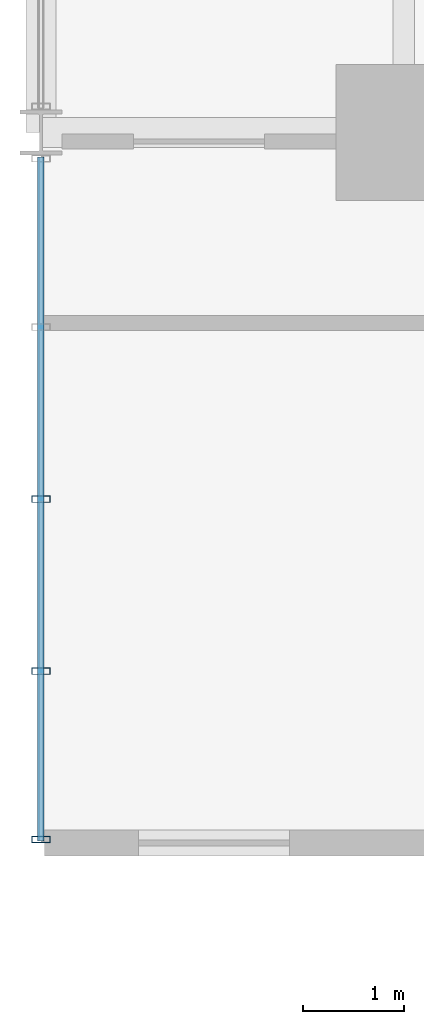
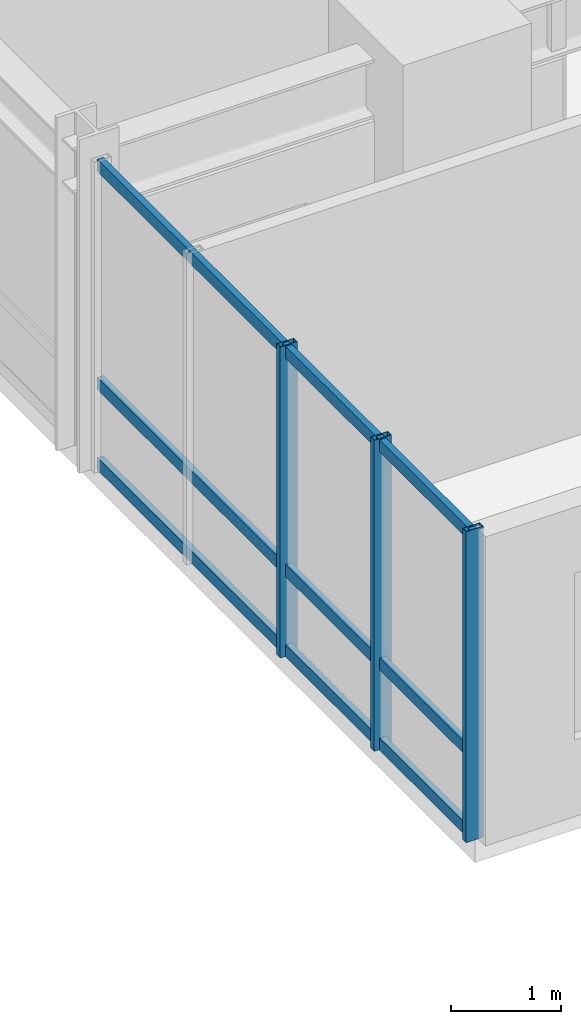
# One storey, part 2 of 17: 6 members, 1 element without a shape of its own.
"""IFC4 building model written with IfcOpenShell, lengths in metres."""

from ifc_helpers import new_model, si_unit, direction, frame, origin, origin_2d, place, context, subcontext, project, spatial, hollow_rectangle, extrude, source, transform, mapped, material, layer, layer_set, material_profile, profile_set, type_object, element, aggregate, save


model = new_model("IFC4")

# Units and contexts
model_context = context("Model", 3, precision=1e-05, world=origin(), true_north=direction((0.0, 1.0)))
body_context = subcontext(model_context, "Body", "Model", "MODEL_VIEW")
ifc_project = project(units=[si_unit("LENGTHUNIT", "METRE"), si_unit("AREAUNIT", "SQUARE_METRE"), si_unit("VOLUMEUNIT", "CUBIC_METRE"), si_unit("PLANEANGLEUNIT", "RADIAN"), si_unit("MASSUNIT", "GRAM", prefix="KILO")], contexts=[model_context])

# Site, building, storey
site_placement = place(None, origin())
site = spatial("IfcSite", under=ifc_project, at=site_placement, CompositionType="ELEMENT")
building_placement = place(site_placement, origin())
building = spatial("IfcBuilding", under=site, at=building_placement, Name="Kaliganga Portal Commons", CompositionType="ELEMENT")
storey_placement = place(building_placement, frame((0.0, 0.0, 62.300048828125)))
storey = spatial("IfcBuildingStorey", under=building, at=storey_placement, Name="L15", CompositionType="ELEMENT", Elevation=62.300048828125)

# Curtain wall, members
ifc_material_1 = material(Name="Anodized Aluminium and Laminated Low-E Glass", Category="aluminium")
ifc_layer = layer(ifc_material_1, 0.199951171875)
ifc_layer_set = layer_set([ifc_layer], Name="Anodized Aluminium and Laminated Low-E Glass")
curtain_wall_type = type_object("IfcCurtainWallType", Name="CW-SYS-02", PredefinedType="NOTDEFINED", material=ifc_layer_set)
curtain_wall_placement = place(storey_placement, origin())
curtain_wall = element("IfcCurtainWall", 1, at=curtain_wall_placement, inside=storey, type_object=curtain_wall_type, Name="CW 02 L15 P1E09S3", PredefinedType="NOTDEFINED")
ifc_material_2 = material(Name="Dark Bronze Anodized Aluminium", Category="aluminium")
ifc_material_profile_1 = material_profile(ifc_material_2, hollow_rectangle(XDim=0.06494140625, YDim=0.179931640625, WallThickness=0.00390625, at=origin_2d()), Name="ALU MULL 65x180x4")
ifc_profile_set_1 = profile_set([ifc_material_profile_1], Name="Dark Bronze Anodized Aluminium")
member_type_1 = type_object("IfcMemberType", Name="CW-MUL-180", PredefinedType="MULLION", material=ifc_profile_set_1)
shared_shape_1 = source(origin(), body_context, "Body", "SweptSolid", [
    extrude(hollow_rectangle(XDim=0.06494140625, YDim=0.179931640625, WallThickness=0.00390625, at=origin_2d()), origin(), (0.0, 0.0, 1.0), 3.449951171875),
])
member_1_placement = place(storey_placement, frame((3.60009765625, 25.012939453125, 0.0), z_axis=(0.0, 0.0, 1.0), x_axis=(0.0, -1.0, 0.0)))
member_1 = element("IfcMember", 2, at=member_1_placement, type_object=member_type_1, Name="CW:02:L15:P1E09S3 Mullion 02", PredefinedType="MULLION", context=body_context, shape_type="MappedRepresentation", body=[
    mapped(shared_shape_1, transform((0.0, 0.0, 0.0), x_axis=(1.0, 0.0, 0.0), y_axis=(0.0, 1.0, 0.0), z_axis=(0.0, 0.0, 1.0), scale=1.0)),
])
member_2_placement = place(storey_placement, frame((3.60009765625, 23.306396484375, 0.0), z_axis=(0.0, 0.0, 1.0), x_axis=(0.0, -1.0, 0.0)))
member_2 = element("IfcMember", 3, at=member_2_placement, type_object=member_type_1, Name="CW:02:L15:P1E09S3 Mullion 03", PredefinedType="MULLION", context=body_context, shape_type="MappedRepresentation", body=[
    mapped(shared_shape_1, transform((0.0, 0.0, 0.0), x_axis=(1.0, 0.0, 0.0), y_axis=(0.0, 1.0, 0.0), z_axis=(0.0, 0.0, 1.0), scale=1.0)),
])
member_3_placement = place(storey_placement, frame((3.60009765625, 21.635009765625, 0.0), z_axis=(0.0, 0.0, 1.0), x_axis=(0.0, -1.0, 0.0)))
member_3 = element("IfcMember", 4, at=member_3_placement, type_object=member_type_1, Name="CW:02:L15:P1E09S3 Mullion 04", PredefinedType="MULLION", context=body_context, shape_type="MappedRepresentation", body=[
    mapped(shared_shape_1, transform((0.0, 0.0, 0.0), x_axis=(1.0, 0.0, 0.0), y_axis=(0.0, 1.0, 0.0), z_axis=(0.0, 0.0, 1.0), scale=1.0)),
])
ifc_material_profile_2 = material_profile(ifc_material_2, hollow_rectangle(XDim=0.06494140625, YDim=0.135009765625, WallThickness=0.00341796875, at=origin_2d()), Name="ALU TRAN 65x135x3.5")
ifc_profile_set_2 = profile_set([ifc_material_profile_2], Name="Dark Bronze Anodized Aluminium")
member_type_2 = type_object("IfcMemberType", Name="CW-TRN-135", PredefinedType="USERDEFINED", material=ifc_profile_set_2)
shared_shape_2 = source(origin(), body_context, "Body", "SweptSolid", [
    extrude(hollow_rectangle(XDim=0.06494140625, YDim=0.135009765625, WallThickness=0.00341796875, at=origin_2d()), origin(), (0.0, 0.0, 1.0), 6.785888671875),
])
member_4_placement = place(storey_placement, frame((3.60009765625, 28.406005859375, 0.06005859375), z_axis=(0.0, -1.0, 0.0), x_axis=(1.0, 0.0, 0.0)))
member_4 = element("IfcMember", 5, at=member_4_placement, type_object=member_type_2, Name="CW:02:L15:P1E09S3 Transom 1", ObjectType="TRANSOM", PredefinedType="USERDEFINED", context=body_context, shape_type="MappedRepresentation", body=[
    mapped(shared_shape_2, transform((0.0, 0.0, 0.0), x_axis=(1.0, 0.0, 0.0), y_axis=(0.0, 1.0, 0.0), z_axis=(0.0, 0.0, 1.0), scale=1.0)),
])
member_5_placement = place(storey_placement, frame((3.60009765625, 28.406005859375, 0.949951171875), z_axis=(0.0, -1.0, 0.0), x_axis=(1.0, 0.0, 0.0)))
member_5 = element("IfcMember", 6, at=member_5_placement, type_object=member_type_2, Name="CW:02:L15:P1E09S3 Transom 2", ObjectType="TRANSOM", PredefinedType="USERDEFINED", context=body_context, shape_type="MappedRepresentation", body=[
    mapped(shared_shape_2, transform((0.0, 0.0, 0.0), x_axis=(1.0, 0.0, 0.0), y_axis=(0.0, 1.0, 0.0), z_axis=(0.0, 0.0, 1.0), scale=1.0)),
])
member_6_placement = place(storey_placement, frame((3.60009765625, 28.406005859375, 3.369873046875), z_axis=(0.0, -1.0, 0.0), x_axis=(1.0, 0.0, 0.0)))
member_6 = element("IfcMember", 7, at=member_6_placement, type_object=member_type_2, Name="CW:02:L15:P1E09S3 Transom 3", ObjectType="TRANSOM", PredefinedType="USERDEFINED", context=body_context, shape_type="MappedRepresentation", body=[
    mapped(shared_shape_2, transform((0.0, 0.0, 0.0), x_axis=(1.0, 0.0, 0.0), y_axis=(0.0, 1.0, 0.0), z_axis=(0.0, 0.0, 1.0), scale=1.0)),
])
aggregate(curtain_wall, [member_1, member_2, member_3, member_4, member_5, member_6])

save(model, "model.ifc")
